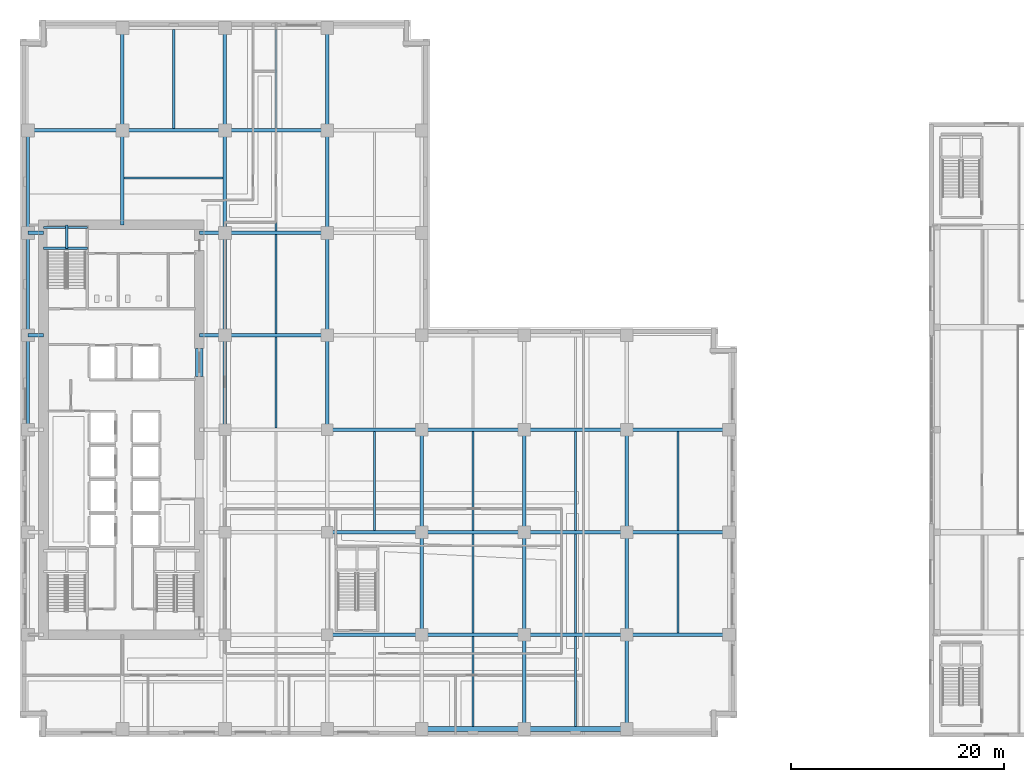
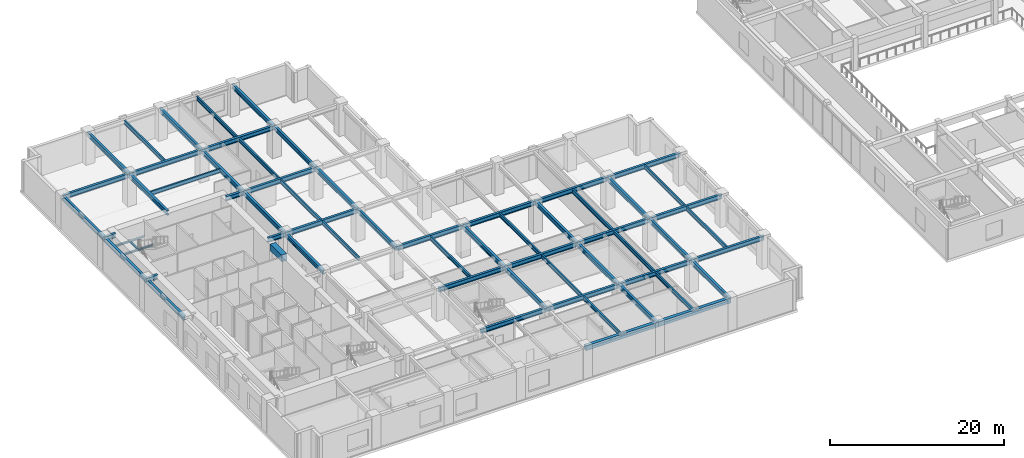
# One storey, part 2 of 24: 63 beams.
"""IFC4 building model written with IfcOpenShell, lengths in metres."""

from ifc_helpers import new_model, si_unit, direction, frame, origin, origin_2d, place, context, subcontext, project, spatial, rectangle, i_section, extrude, material, material_profile, profile_set, type_object, element, save


model = new_model("IFC4")

# Units and contexts
model_context = context("Model", 3, precision=1e-05, world=origin(), true_north=direction((0.0, 1.0)))
body_context = subcontext(model_context, "Body", "Model", "MODEL_VIEW")
ifc_project = project(units=[si_unit("LENGTHUNIT", "METRE"), si_unit("AREAUNIT", "SQUARE_METRE"), si_unit("VOLUMEUNIT", "CUBIC_METRE"), si_unit("PLANEANGLEUNIT", "RADIAN"), si_unit("MASSUNIT", "GRAM", prefix="KILO")], contexts=[model_context])

# Site, building, storey
site_placement = place(None, origin())
site = spatial("IfcSite", under=ifc_project, at=site_placement, CompositionType="ELEMENT")
building_placement = place(site_placement, origin())
building = spatial("IfcBuilding", under=site, at=building_placement, Name="Norrvale University Quadrangle", CompositionType="ELEMENT")
storey_placement = place(building_placement, frame((0.0, 0.0, 10.39990234375)))
storey = spatial("IfcBuildingStorey", under=building, at=storey_placement, Name="L02", CompositionType="ELEMENT", Elevation=10.39990234375)

# Beams
ifc_material_1 = material(Name="Steel 350W", Category="steel")
ifc_material_profile_1 = material_profile(ifc_material_1, i_section(OverallWidth=0.324951171875, OverallDepth=0.615966796875, WebThickness=0.013916015625, FlangeThickness=0.021484375, FilletRadius=0.01611328125, at=origin_2d()), Name="Steel 350W")
ifc_profile_set_1 = profile_set([ifc_material_profile_1], Name="Steel 350W")
beam_type_1 = type_object("IfcBeamType", Name="Beam Belt W610x174", PredefinedType="BEAM", material=ifc_profile_set_1)
beam_1_placement = place(storey_placement, frame((28.800048828125, 9.60009765625, 3.9521484375), z_axis=(1.0, 0.0, 0.0), x_axis=(0.0, 1.0, 0.0)))
element("IfcBeam", 1, at=beam_1_placement, inside=storey, type_object=beam_type_1, Name="Beam Belt W610x174 BM-L02-GX007", PredefinedType="BEAM", context=body_context, shape_type="SweptSolid", body=[
    extrude(i_section(OverallWidth=0.324951171875, OverallDepth=0.615966796875, WebThickness=0.013916015625, FlangeThickness=0.021484375, FilletRadius=0.01611328125, at=origin_2d()), origin(), (0.0, 0.0, 1.0), 8.849853515625),
])
for number, where, z_axis, x_axis, name in (
    (2, (37.64990234375, 9.60009765625, 3.9521484375), (1.0, 0.0, 0.0), (0.0, 1.0, 0.0), "Beam Belt W610x174 BM-L02-GX008"),
    (3, (47.25, 9.60009765625, 3.9521484375), (1.0, 0.0, 0.0), (0.0, 1.0, 0.0), "Beam Belt W610x174 BM-L02-GX009"),
):
    element("IfcBeam", number, at=place(storey_placement, frame(where, z_axis=z_axis, x_axis=x_axis)), inside=storey, type_object=beam_type_1, Name=name, PredefinedType="BEAM", context=body_context, shape_type="SweptSolid", body=[
        extrude(i_section(OverallWidth=0.324951171875, OverallDepth=0.615966796875, WebThickness=0.013916015625, FlangeThickness=0.021484375, FilletRadius=0.01611328125, at=origin_2d()), origin(), (0.0, 0.0, 1.0), 9.60009765625),
    ])
beam_2_placement = place(storey_placement, frame((56.85009765625, 9.60009765625, 3.9521484375), z_axis=(1.0, 0.0, 0.0), x_axis=(0.0, 1.0, 0.0)))
element("IfcBeam", 4, at=beam_2_placement, inside=storey, type_object=beam_type_1, Name="Beam Belt W610x174 BM-L02-GX010", PredefinedType="BEAM", context=body_context, shape_type="SweptSolid", body=[
    extrude(i_section(OverallWidth=0.324951171875, OverallDepth=0.615966796875, WebThickness=0.013916015625, FlangeThickness=0.021484375, FilletRadius=0.01611328125, at=origin_2d()), origin(), (0.0, 0.0, 1.0), 9.599853515625),
])
beam_3_placement = place(storey_placement, frame((28.800048828125, 19.199951171875, 3.9521484375), z_axis=(1.0, 0.0, 0.0), x_axis=(0.0, 1.0, 0.0)))
element("IfcBeam", 5, at=beam_3_placement, inside=storey, type_object=beam_type_1, Name="Beam Belt W610x174 BM-L02-GX012", PredefinedType="BEAM", context=body_context, shape_type="SweptSolid", body=[
    extrude(i_section(OverallWidth=0.324951171875, OverallDepth=0.615966796875, WebThickness=0.013916015625, FlangeThickness=0.021484375, FilletRadius=0.01611328125, at=origin_2d()), origin(), (0.0, 0.0, 1.0), 8.849853515625),
])
for number, where, z_axis, x_axis, name in (
    (6, (37.64990234375, 19.199951171875, 3.9521484375), (1.0, 0.0, 0.0), (0.0, 1.0, 0.0), "Beam Belt W610x174 BM-L02-GX013"),
    (7, (47.25, 19.199951171875, 3.9521484375), (1.0, 0.0, 0.0), (0.0, 1.0, 0.0), "Beam Belt W610x174 BM-L02-GX014"),
):
    element("IfcBeam", number, at=place(storey_placement, frame(where, z_axis=z_axis, x_axis=x_axis)), inside=storey, type_object=beam_type_1, Name=name, PredefinedType="BEAM", context=body_context, shape_type="SweptSolid", body=[
        extrude(i_section(OverallWidth=0.324951171875, OverallDepth=0.615966796875, WebThickness=0.013916015625, FlangeThickness=0.021484375, FilletRadius=0.01611328125, at=origin_2d()), origin(), (0.0, 0.0, 1.0), 9.60009765625),
    ])
beam_4_placement = place(storey_placement, frame((56.85009765625, 19.199951171875, 3.9521484375), z_axis=(1.0, 0.0, 0.0), x_axis=(0.0, 1.0, 0.0)))
element("IfcBeam", 8, at=beam_4_placement, inside=storey, type_object=beam_type_1, Name="Beam Belt W610x174 BM-L02-GX015", PredefinedType="BEAM", context=body_context, shape_type="SweptSolid", body=[
    extrude(i_section(OverallWidth=0.324951171875, OverallDepth=0.615966796875, WebThickness=0.013916015625, FlangeThickness=0.021484375, FilletRadius=0.01611328125, at=origin_2d()), origin(), (0.0, 0.0, 1.0), 9.599853515625),
])
beam_5_placement = place(storey_placement, frame((28.800048828125, 28.800048828125, 3.9521484375), z_axis=(1.0, 0.0, 0.0), x_axis=(0.0, 1.0, 0.0)))
element("IfcBeam", 9, at=beam_5_placement, inside=storey, type_object=beam_type_1, Name="Beam Belt W610x174 BM-L02-GX017", PredefinedType="BEAM", context=body_context, shape_type="SweptSolid", body=[
    extrude(i_section(OverallWidth=0.324951171875, OverallDepth=0.615966796875, WebThickness=0.013916015625, FlangeThickness=0.021484375, FilletRadius=0.01611328125, at=origin_2d()), origin(), (0.0, 0.0, 1.0), 8.849853515625),
])
for number, where, z_axis, x_axis, name in (
    (10, (37.64990234375, 28.800048828125, 3.9521484375), (1.0, 0.0, 0.0), (0.0, 1.0, 0.0), "Beam Belt W610x174 BM-L02-GX018"),
    (11, (47.25, 28.800048828125, 3.9521484375), (1.0, 0.0, 0.0), (0.0, 1.0, 0.0), "Beam Belt W610x174 BM-L02-GX019"),
):
    element("IfcBeam", number, at=place(storey_placement, frame(where, z_axis=z_axis, x_axis=x_axis)), inside=storey, type_object=beam_type_1, Name=name, PredefinedType="BEAM", context=body_context, shape_type="SweptSolid", body=[
        extrude(i_section(OverallWidth=0.324951171875, OverallDepth=0.615966796875, WebThickness=0.013916015625, FlangeThickness=0.021484375, FilletRadius=0.01611328125, at=origin_2d()), origin(), (0.0, 0.0, 1.0), 9.60009765625),
    ])
beam_6_placement = place(storey_placement, frame((56.85009765625, 28.800048828125, 3.9521484375), z_axis=(1.0, 0.0, 0.0), x_axis=(0.0, 1.0, 0.0)))
element("IfcBeam", 12, at=beam_6_placement, inside=storey, type_object=beam_type_1, Name="Beam Belt W610x174 BM-L02-GX020", PredefinedType="BEAM", context=body_context, shape_type="SweptSolid", body=[
    extrude(i_section(OverallWidth=0.324951171875, OverallDepth=0.615966796875, WebThickness=0.013916015625, FlangeThickness=0.021484375, FilletRadius=0.01611328125, at=origin_2d()), origin(), (0.0, 0.0, 1.0), 9.599853515625),
])
for number, where, z_axis, x_axis, name in (
    (13, (19.199951171875, 37.64990234375, 3.9521484375), (1.0, 0.0, 0.0), (0.0, 1.0, 0.0), "Beam Belt W610x174 BM-L02-GX021"),
    (14, (19.199951171875, 47.25, 3.9521484375), (1.0, 0.0, 0.0), (0.0, 1.0, 0.0), "Beam Belt W610x174 BM-L02-GX025"),
):
    element("IfcBeam", number, at=place(storey_placement, frame(where, z_axis=z_axis, x_axis=x_axis)), inside=storey, type_object=beam_type_1, Name=name, PredefinedType="BEAM", context=body_context, shape_type="SweptSolid", body=[
        extrude(i_section(OverallWidth=0.324951171875, OverallDepth=0.615966796875, WebThickness=0.013916015625, FlangeThickness=0.021484375, FilletRadius=0.01611328125, at=origin_2d()), origin(), (0.0, 0.0, 1.0), 9.60009765625),
    ])
beam_7_placement = place(storey_placement, frame((0.75, 56.85009765625, 3.9521484375), z_axis=(1.0, 0.0, 0.0), x_axis=(0.0, 1.0, 0.0)))
element("IfcBeam", 15, at=beam_7_placement, inside=storey, type_object=beam_type_1, Name="Beam Belt W610x174 BM-L02-GX027", PredefinedType="BEAM", context=body_context, shape_type="SweptSolid", body=[
    extrude(i_section(OverallWidth=0.324951171875, OverallDepth=0.615966796875, WebThickness=0.013916015625, FlangeThickness=0.021484375, FilletRadius=0.01611328125, at=origin_2d()), origin(), (0.0, 0.0, 1.0), 8.85009765625),
])
beam_8_placement = place(storey_placement, frame((9.60009765625, 56.85009765625, 3.9521484375), z_axis=(1.0, 0.0, 0.0), x_axis=(0.0, 1.0, 0.0)))
element("IfcBeam", 16, at=beam_8_placement, inside=storey, type_object=beam_type_1, Name="Beam Belt W610x174 BM-L02-GX028", PredefinedType="BEAM", context=body_context, shape_type="SweptSolid", body=[
    extrude(i_section(OverallWidth=0.324951171875, OverallDepth=0.615966796875, WebThickness=0.013916015625, FlangeThickness=0.021484375, FilletRadius=0.01611328125, at=origin_2d()), origin(), (0.0, 0.0, 1.0), 9.599853515625),
])
beam_9_placement = place(storey_placement, frame((19.199951171875, 56.85009765625, 3.9521484375), z_axis=(1.0, 0.0, 0.0), x_axis=(0.0, 1.0, 0.0)))
element("IfcBeam", 17, at=beam_9_placement, inside=storey, type_object=beam_type_1, Name="Beam Belt W610x174 BM-L02-GX029", PredefinedType="BEAM", context=body_context, shape_type="SweptSolid", body=[
    extrude(i_section(OverallWidth=0.324951171875, OverallDepth=0.615966796875, WebThickness=0.013916015625, FlangeThickness=0.021484375, FilletRadius=0.01611328125, at=origin_2d()), origin(), (0.0, 0.0, 1.0), 9.60009765625),
])
beam_10_placement = place(storey_placement, frame((0.75, 28.800048828125, 3.9521484375), z_axis=(0.0, 1.0, 0.0), x_axis=(-1.0, 0.0, 0.0)))
element("IfcBeam", 18, at=beam_10_placement, inside=storey, type_object=beam_type_1, Name="Beam Belt W610x174 BM-L02-GY035", PredefinedType="BEAM", context=body_context, shape_type="SweptSolid", body=[
    extrude(i_section(OverallWidth=0.324951171875, OverallDepth=0.615966796875, WebThickness=0.013916015625, FlangeThickness=0.021484375, FilletRadius=0.01611328125, at=origin_2d()), origin(), (0.0, 0.0, 1.0), 8.849853515625),
])
for number, where, z_axis, x_axis, name in (
    (19, (0.75, 37.64990234375, 3.9521484375), (0.0, 1.0, 0.0), (-1.0, 0.0, 0.0), "Beam Belt W610x174 BM-L02-GY036"),
    (20, (0.75, 47.25, 3.9521484375), (0.0, 1.0, 0.0), (-1.0, 0.0, 0.0), "Beam Belt W610x174 BM-L02-GY037"),
):
    element("IfcBeam", number, at=place(storey_placement, frame(where, z_axis=z_axis, x_axis=x_axis)), inside=storey, type_object=beam_type_1, Name=name, PredefinedType="BEAM", context=body_context, shape_type="SweptSolid", body=[
        extrude(i_section(OverallWidth=0.324951171875, OverallDepth=0.615966796875, WebThickness=0.013916015625, FlangeThickness=0.021484375, FilletRadius=0.01611328125, at=origin_2d()), origin(), (0.0, 0.0, 1.0), 9.60009765625),
    ])
beam_11_placement = place(storey_placement, frame((9.60009765625, 56.85009765625, 3.9521484375), z_axis=(0.0, 1.0, 0.0), x_axis=(-1.0, 0.0, 0.0)))
element("IfcBeam", 21, at=beam_11_placement, inside=storey, type_object=beam_type_1, Name="Beam Belt W610x174 BM-L02-GY038", PredefinedType="BEAM", context=body_context, shape_type="SweptSolid", body=[
    extrude(i_section(OverallWidth=0.324951171875, OverallDepth=0.615966796875, WebThickness=0.013916015625, FlangeThickness=0.021484375, FilletRadius=0.01611328125, at=origin_2d()), origin(), (0.0, 0.0, 1.0), 9.599853515625),
])
beam_12_placement = place(storey_placement, frame((19.199951171875, 28.800048828125, 3.9521484375), z_axis=(0.0, 1.0, 0.0), x_axis=(-1.0, 0.0, 0.0)))
element("IfcBeam", 22, at=beam_12_placement, inside=storey, type_object=beam_type_1, Name="Beam Belt W610x174 BM-L02-GY042", PredefinedType="BEAM", context=body_context, shape_type="SweptSolid", body=[
    extrude(i_section(OverallWidth=0.324951171875, OverallDepth=0.615966796875, WebThickness=0.013916015625, FlangeThickness=0.021484375, FilletRadius=0.01611328125, at=origin_2d()), origin(), (0.0, 0.0, 1.0), 8.849853515625),
])
for number, where, z_axis, x_axis, name in (
    (23, (19.199951171875, 37.64990234375, 3.9521484375), (0.0, 1.0, 0.0), (-1.0, 0.0, 0.0), "Beam Belt W610x174 BM-L02-GY043"),
    (24, (19.199951171875, 47.25, 3.9521484375), (0.0, 1.0, 0.0), (-1.0, 0.0, 0.0), "Beam Belt W610x174 BM-L02-GY044"),
):
    element("IfcBeam", number, at=place(storey_placement, frame(where, z_axis=z_axis, x_axis=x_axis)), inside=storey, type_object=beam_type_1, Name=name, PredefinedType="BEAM", context=body_context, shape_type="SweptSolid", body=[
        extrude(i_section(OverallWidth=0.324951171875, OverallDepth=0.615966796875, WebThickness=0.013916015625, FlangeThickness=0.021484375, FilletRadius=0.01611328125, at=origin_2d()), origin(), (0.0, 0.0, 1.0), 9.60009765625),
    ])
beam_13_placement = place(storey_placement, frame((19.199951171875, 56.85009765625, 3.9521484375), z_axis=(0.0, 1.0, 0.0), x_axis=(-1.0, 0.0, 0.0)))
element("IfcBeam", 25, at=beam_13_placement, inside=storey, type_object=beam_type_1, Name="Beam Belt W610x174 BM-L02-GY045", PredefinedType="BEAM", context=body_context, shape_type="SweptSolid", body=[
    extrude(i_section(OverallWidth=0.324951171875, OverallDepth=0.615966796875, WebThickness=0.013916015625, FlangeThickness=0.021484375, FilletRadius=0.01611328125, at=origin_2d()), origin(), (0.0, 0.0, 1.0), 9.599853515625),
])
beam_14_placement = place(storey_placement, frame((28.800048828125, 28.800048828125, 3.9521484375), z_axis=(0.0, 1.0, 0.0), x_axis=(-1.0, 0.0, 0.0)))
element("IfcBeam", 26, at=beam_14_placement, inside=storey, type_object=beam_type_1, Name="Beam Belt W610x174 BM-L02-GY049", PredefinedType="BEAM", context=body_context, shape_type="SweptSolid", body=[
    extrude(i_section(OverallWidth=0.324951171875, OverallDepth=0.615966796875, WebThickness=0.013916015625, FlangeThickness=0.021484375, FilletRadius=0.01611328125, at=origin_2d()), origin(), (0.0, 0.0, 1.0), 8.849853515625),
])
for number, where, z_axis, x_axis, name in (
    (27, (28.800048828125, 37.64990234375, 3.9521484375), (0.0, 1.0, 0.0), (-1.0, 0.0, 0.0), "Beam Belt W610x174 BM-L02-GY050"),
    (28, (28.800048828125, 47.25, 3.9521484375), (0.0, 1.0, 0.0), (-1.0, 0.0, 0.0), "Beam Belt W610x174 BM-L02-GY051"),
):
    element("IfcBeam", number, at=place(storey_placement, frame(where, z_axis=z_axis, x_axis=x_axis)), inside=storey, type_object=beam_type_1, Name=name, PredefinedType="BEAM", context=body_context, shape_type="SweptSolid", body=[
        extrude(i_section(OverallWidth=0.324951171875, OverallDepth=0.615966796875, WebThickness=0.013916015625, FlangeThickness=0.021484375, FilletRadius=0.01611328125, at=origin_2d()), origin(), (0.0, 0.0, 1.0), 9.60009765625),
    ])
for number, where, z_axis, x_axis, name in (
    (29, (28.800048828125, 56.85009765625, 3.9521484375), (0.0, 1.0, 0.0), (-1.0, 0.0, 0.0), "Beam Belt W610x174 BM-L02-GY052"),
    (30, (37.64990234375, 9.60009765625, 3.9521484375), (0.0, 1.0, 0.0), (-1.0, 0.0, 0.0), "Beam Belt W610x174 BM-L02-GY054"),
):
    element("IfcBeam", number, at=place(storey_placement, frame(where, z_axis=z_axis, x_axis=x_axis)), inside=storey, type_object=beam_type_1, Name=name, PredefinedType="BEAM", context=body_context, shape_type="SweptSolid", body=[
        extrude(i_section(OverallWidth=0.324951171875, OverallDepth=0.615966796875, WebThickness=0.013916015625, FlangeThickness=0.021484375, FilletRadius=0.01611328125, at=origin_2d()), origin(), (0.0, 0.0, 1.0), 9.599853515625),
    ])
beam_15_placement = place(storey_placement, frame((37.64990234375, 19.199951171875, 3.9521484375), z_axis=(0.0, 1.0, 0.0), x_axis=(-1.0, 0.0, 0.0)))
element("IfcBeam", 31, at=beam_15_placement, inside=storey, type_object=beam_type_1, Name="Beam Belt W610x174 BM-L02-GY055", PredefinedType="BEAM", context=body_context, shape_type="SweptSolid", body=[
    extrude(i_section(OverallWidth=0.324951171875, OverallDepth=0.615966796875, WebThickness=0.013916015625, FlangeThickness=0.021484375, FilletRadius=0.01611328125, at=origin_2d()), origin(), (0.0, 0.0, 1.0), 9.60009765625),
])
beam_16_placement = place(storey_placement, frame((47.25, 0.75, 3.9521484375), z_axis=(0.0, 1.0, 0.0), x_axis=(-1.0, 0.0, 0.0)))
element("IfcBeam", 32, at=beam_16_placement, inside=storey, type_object=beam_type_1, Name="Beam Belt W610x174 BM-L02-GY059", PredefinedType="BEAM", context=body_context, shape_type="SweptSolid", body=[
    extrude(i_section(OverallWidth=0.324951171875, OverallDepth=0.615966796875, WebThickness=0.013916015625, FlangeThickness=0.021484375, FilletRadius=0.01611328125, at=origin_2d()), origin(), (0.0, 0.0, 1.0), 8.85009765625),
])
beam_17_placement = place(storey_placement, frame((47.25, 9.60009765625, 3.9521484375), z_axis=(0.0, 1.0, 0.0), x_axis=(-1.0, 0.0, 0.0)))
element("IfcBeam", 33, at=beam_17_placement, inside=storey, type_object=beam_type_1, Name="Beam Belt W610x174 BM-L02-GY060", PredefinedType="BEAM", context=body_context, shape_type="SweptSolid", body=[
    extrude(i_section(OverallWidth=0.324951171875, OverallDepth=0.615966796875, WebThickness=0.013916015625, FlangeThickness=0.021484375, FilletRadius=0.01611328125, at=origin_2d()), origin(), (0.0, 0.0, 1.0), 9.599853515625),
])
beam_18_placement = place(storey_placement, frame((47.25, 19.199951171875, 3.9521484375), z_axis=(0.0, 1.0, 0.0), x_axis=(-1.0, 0.0, 0.0)))
element("IfcBeam", 34, at=beam_18_placement, inside=storey, type_object=beam_type_1, Name="Beam Belt W610x174 BM-L02-GY061", PredefinedType="BEAM", context=body_context, shape_type="SweptSolid", body=[
    extrude(i_section(OverallWidth=0.324951171875, OverallDepth=0.615966796875, WebThickness=0.013916015625, FlangeThickness=0.021484375, FilletRadius=0.01611328125, at=origin_2d()), origin(), (0.0, 0.0, 1.0), 9.60009765625),
])
beam_19_placement = place(storey_placement, frame((56.85009765625, 0.75, 3.9521484375), z_axis=(0.0, 1.0, 0.0), x_axis=(-1.0, 0.0, 0.0)))
element("IfcBeam", 35, at=beam_19_placement, inside=storey, type_object=beam_type_1, Name="Beam Belt W610x174 BM-L02-GY063", PredefinedType="BEAM", context=body_context, shape_type="SweptSolid", body=[
    extrude(i_section(OverallWidth=0.324951171875, OverallDepth=0.615966796875, WebThickness=0.013916015625, FlangeThickness=0.021484375, FilletRadius=0.01611328125, at=origin_2d()), origin(), (0.0, 0.0, 1.0), 8.85009765625),
])
beam_20_placement = place(storey_placement, frame((56.85009765625, 9.60009765625, 3.9521484375), z_axis=(0.0, 1.0, 0.0), x_axis=(-1.0, 0.0, 0.0)))
element("IfcBeam", 36, at=beam_20_placement, inside=storey, type_object=beam_type_1, Name="Beam Belt W610x174 BM-L02-GY064", PredefinedType="BEAM", context=body_context, shape_type="SweptSolid", body=[
    extrude(i_section(OverallWidth=0.324951171875, OverallDepth=0.615966796875, WebThickness=0.013916015625, FlangeThickness=0.021484375, FilletRadius=0.01611328125, at=origin_2d()), origin(), (0.0, 0.0, 1.0), 9.599853515625),
])
beam_21_placement = place(storey_placement, frame((56.85009765625, 19.199951171875, 3.9521484375), z_axis=(0.0, 1.0, 0.0), x_axis=(-1.0, 0.0, 0.0)))
element("IfcBeam", 37, at=beam_21_placement, inside=storey, type_object=beam_type_1, Name="Beam Belt W610x174 BM-L02-GY065", PredefinedType="BEAM", context=body_context, shape_type="SweptSolid", body=[
    extrude(i_section(OverallWidth=0.324951171875, OverallDepth=0.615966796875, WebThickness=0.013916015625, FlangeThickness=0.021484375, FilletRadius=0.01611328125, at=origin_2d()), origin(), (0.0, 0.0, 1.0), 9.60009765625),
])
beam_22_placement = place(storey_placement, frame((0.75, 37.64990234375, 3.9521484375), z_axis=(1.0, 0.0, 0.0), x_axis=(0.0, 1.0, 0.0)))
element("IfcBeam", 38, at=beam_22_placement, inside=storey, type_object=beam_type_1, Name="Beam Belt W610x174 BM-L02-GCW075", PredefinedType="BEAM", context=body_context, shape_type="SweptSolid", body=[
    extrude(i_section(OverallWidth=0.324951171875, OverallDepth=0.615966796875, WebThickness=0.013916015625, FlangeThickness=0.021484375, FilletRadius=0.01611328125, at=origin_2d()), origin(), (0.0, 0.0, 1.0), 1.449951171875),
])
beam_23_placement = place(storey_placement, frame((16.800048828125, 37.64990234375, 3.9521484375), z_axis=(1.0, 0.0, 0.0), x_axis=(0.0, 1.0, 0.0)))
element("IfcBeam", 39, at=beam_23_placement, inside=storey, type_object=beam_type_1, Name="Beam Belt W610x174 BM-L02-GCE076", PredefinedType="BEAM", context=body_context, shape_type="SweptSolid", body=[
    extrude(i_section(OverallWidth=0.324951171875, OverallDepth=0.615966796875, WebThickness=0.013916015625, FlangeThickness=0.021484375, FilletRadius=0.01611328125, at=origin_2d()), origin(), (0.0, 0.0, 1.0), 2.39990234375),
])
beam_24_placement = place(storey_placement, frame((0.75, 47.25, 3.9521484375), z_axis=(1.0, 0.0, 0.0), x_axis=(0.0, 1.0, 0.0)))
element("IfcBeam", 40, at=beam_24_placement, inside=storey, type_object=beam_type_1, Name="Beam Belt W610x174 BM-L02-GCW077", PredefinedType="BEAM", context=body_context, shape_type="SweptSolid", body=[
    extrude(i_section(OverallWidth=0.324951171875, OverallDepth=0.615966796875, WebThickness=0.013916015625, FlangeThickness=0.021484375, FilletRadius=0.01611328125, at=origin_2d()), origin(), (0.0, 0.0, 1.0), 1.449951171875),
])
beam_25_placement = place(storey_placement, frame((16.800048828125, 47.25, 3.9521484375), z_axis=(1.0, 0.0, 0.0), x_axis=(0.0, 1.0, 0.0)))
element("IfcBeam", 41, at=beam_25_placement, inside=storey, type_object=beam_type_1, Name="Beam Belt W610x174 BM-L02-GCE078", PredefinedType="BEAM", context=body_context, shape_type="SweptSolid", body=[
    extrude(i_section(OverallWidth=0.324951171875, OverallDepth=0.615966796875, WebThickness=0.013916015625, FlangeThickness=0.021484375, FilletRadius=0.01611328125, at=origin_2d()), origin(), (0.0, 0.0, 1.0), 2.39990234375),
])
beam_26_placement = place(storey_placement, frame((9.60009765625, 48.0, 3.9521484375), z_axis=(0.0, 1.0, 0.0), x_axis=(-1.0, 0.0, 0.0)))
element("IfcBeam", 42, at=beam_26_placement, inside=storey, type_object=beam_type_1, Name="Beam Belt W610x174 BM-L02-GCN104", PredefinedType="BEAM", context=body_context, shape_type="SweptSolid", body=[
    extrude(i_section(OverallWidth=0.324951171875, OverallDepth=0.615966796875, WebThickness=0.013916015625, FlangeThickness=0.021484375, FilletRadius=0.01611328125, at=origin_2d()), origin(), (0.0, 0.0, 1.0), 8.85009765625),
])
ifc_material_2 = material(Name="Concrete C80/95", Category="concrete")
ifc_material_profile_2 = material_profile(ifc_material_2, rectangle(XDim=0.699951171875, YDim=0.949951171875, at=origin_2d()), Name="Concrete C80/95")
ifc_profile_set_2 = profile_set([ifc_material_profile_2], Name="Concrete C80/95")
beam_type_2 = type_object("IfcBeamType", Name="Beam Core Link 700x950", PredefinedType="LINTEL", material=ifc_profile_set_2)
beam_27_placement = place(storey_placement, frame((16.800048828125, 33.800048828125, 3.78515625), z_axis=(0.0, 1.0, 0.0), x_axis=(-1.0, 0.0, 0.0)))
element("IfcBeam", 43, at=beam_27_placement, inside=storey, type_object=beam_type_2, Name="Core Coupling Lintel Beam L02-2", PredefinedType="LINTEL", context=body_context, shape_type="SweptSolid", body=[
    extrude(rectangle(XDim=0.699951171875, YDim=0.949951171875, at=origin_2d()), origin(), (0.0, 0.0, 1.0), 2.599853515625),
])
ifc_material_3 = material(Name="Concrete C60/75", Category="concrete")
ifc_material_profile_3 = material_profile(ifc_material_3, rectangle(XDim=0.449951171875, YDim=0.64990234375, at=origin_2d()), Name="Concrete C60/75")
ifc_profile_set_3 = profile_set([ifc_material_profile_3], Name="Concrete C60/75")
beam_type_3 = type_object("IfcBeamType", Name="Beam Edge 450x650", PredefinedType="BEAM", material=ifc_profile_set_3)
for number, where, z_axis, x_axis, name in (
    (44, (37.64990234375, 0.75, 3.93505859375), (1.0, 0.0, 0.0), (0.0, 1.0, 0.0), "Beam Edge 450x650 BM-L02-GX004"),
    (45, (47.25, 0.75, 3.93505859375), (1.0, 0.0, 0.0), (0.0, 1.0, 0.0), "Beam Edge 450x650 BM-L02-GX005"),
):
    element("IfcBeam", number, at=place(storey_placement, frame(where, z_axis=z_axis, x_axis=x_axis)), inside=storey, type_object=beam_type_3, Name=name, PredefinedType="BEAM", context=body_context, shape_type="SweptSolid", body=[
        extrude(rectangle(XDim=0.449951171875, YDim=0.64990234375, at=origin_2d()), origin(), (0.0, 0.0, 1.0), 9.60009765625),
    ])
ifc_material_profile_4 = material_profile(ifc_material_1, i_section(OverallWidth=0.2119140625, OverallDepth=0.5439453125, WebThickness=0.01318359375, FlangeThickness=0.021240234375, FilletRadius=0.013916015625, at=origin_2d()), Name="Steel 350W")
ifc_profile_set_4 = profile_set([ifc_material_profile_4], Name="Steel 350W")
beam_type_4 = type_object("IfcBeamType", Name="Beam Floor W530x123", PredefinedType="BEAM", material=ifc_profile_set_4)
beam_28_placement = place(storey_placement, frame((14.39990234375, 57.012451171875, 3.988037109375), z_axis=(0.0, 1.0, 0.0), x_axis=(-1.0, 0.0, 0.0)))
element("IfcBeam", 46, at=beam_28_placement, inside=storey, type_object=beam_type_4, Name="Beam Floor W530x123 BM-L02-J079", PredefinedType="BEAM", context=body_context, shape_type="SweptSolid", body=[
    extrude(i_section(OverallWidth=0.2119140625, OverallDepth=0.5439453125, WebThickness=0.01318359375, FlangeThickness=0.021240234375, FilletRadius=0.013916015625, at=origin_2d()), origin(), (0.0, 0.0, 1.0), 9.275146484375),
])
beam_29_placement = place(storey_placement, frame((24.0, 28.96240234375, 3.988037109375), z_axis=(0.0, 1.0, 0.0), x_axis=(-1.0, 0.0, 0.0)))
element("IfcBeam", 47, at=beam_29_placement, inside=storey, type_object=beam_type_4, Name="Beam Floor W530x123 BM-L02-J083", PredefinedType="BEAM", context=body_context, shape_type="SweptSolid", body=[
    extrude(i_section(OverallWidth=0.2119140625, OverallDepth=0.5439453125, WebThickness=0.01318359375, FlangeThickness=0.021240234375, FilletRadius=0.013916015625, at=origin_2d()), origin(), (0.0, 0.0, 1.0), 8.525146484375),
])
for number, where, z_axis, x_axis, name in (
    (48, (24.0, 37.8125, 3.988037109375), (0.0, 1.0, 0.0), (-1.0, 0.0, 0.0), "Beam Floor W530x123 BM-L02-J084"),
    (49, (24.0, 47.41259765625, 3.988037109375), (0.0, 1.0, 0.0), (-1.0, 0.0, 0.0), "Beam Floor W530x123 BM-L02-J085"),
):
    element("IfcBeam", number, at=place(storey_placement, frame(where, z_axis=z_axis, x_axis=x_axis)), inside=storey, type_object=beam_type_4, Name=name, PredefinedType="BEAM", context=body_context, shape_type="SweptSolid", body=[
        extrude(i_section(OverallWidth=0.2119140625, OverallDepth=0.5439453125, WebThickness=0.01318359375, FlangeThickness=0.021240234375, FilletRadius=0.013916015625, at=origin_2d()), origin(), (0.0, 0.0, 1.0), 9.27490234375),
    ])
beam_30_placement = place(storey_placement, frame((24.0, 57.012451171875, 3.988037109375), z_axis=(0.0, 1.0, 0.0), x_axis=(-1.0, 0.0, 0.0)))
element("IfcBeam", 50, at=beam_30_placement, inside=storey, type_object=beam_type_4, Name="Beam Floor W530x123 BM-L02-J086", PredefinedType="BEAM", context=body_context, shape_type="SweptSolid", body=[
    extrude(i_section(OverallWidth=0.2119140625, OverallDepth=0.5439453125, WebThickness=0.01318359375, FlangeThickness=0.021240234375, FilletRadius=0.013916015625, at=origin_2d()), origin(), (0.0, 0.0, 1.0), 9.275146484375),
])
beam_31_placement = place(storey_placement, frame((33.22509765625, 19.362548828125, 3.988037109375), z_axis=(0.0, 1.0, 0.0), x_axis=(-1.0, 0.0, 0.0)))
element("IfcBeam", 51, at=beam_31_placement, inside=storey, type_object=beam_type_4, Name="Beam Floor W530x123 BM-L02-J088", PredefinedType="BEAM", context=body_context, shape_type="SweptSolid", body=[
    extrude(i_section(OverallWidth=0.2119140625, OverallDepth=0.5439453125, WebThickness=0.01318359375, FlangeThickness=0.021240234375, FilletRadius=0.013916015625, at=origin_2d()), origin(), (0.0, 0.0, 1.0), 9.27490234375),
])
beam_32_placement = place(storey_placement, frame((42.449951171875, 0.97509765625, 3.988037109375), z_axis=(0.0, 1.0, 0.0), x_axis=(-1.0, 0.0, 0.0)))
element("IfcBeam", 52, at=beam_32_placement, inside=storey, type_object=beam_type_4, Name="Beam Floor W530x123 BM-L02-J092", PredefinedType="BEAM", context=body_context, shape_type="SweptSolid", body=[
    extrude(i_section(OverallWidth=0.2119140625, OverallDepth=0.5439453125, WebThickness=0.01318359375, FlangeThickness=0.021240234375, FilletRadius=0.013916015625, at=origin_2d()), origin(), (0.0, 0.0, 1.0), 8.46240234375),
])
beam_33_placement = place(storey_placement, frame((42.449951171875, 9.762451171875, 3.988037109375), z_axis=(0.0, 1.0, 0.0), x_axis=(-1.0, 0.0, 0.0)))
element("IfcBeam", 53, at=beam_33_placement, inside=storey, type_object=beam_type_4, Name="Beam Floor W530x123 BM-L02-J093", PredefinedType="BEAM", context=body_context, shape_type="SweptSolid", body=[
    extrude(i_section(OverallWidth=0.2119140625, OverallDepth=0.5439453125, WebThickness=0.01318359375, FlangeThickness=0.021240234375, FilletRadius=0.013916015625, at=origin_2d()), origin(), (0.0, 0.0, 1.0), 9.275146484375),
])
beam_34_placement = place(storey_placement, frame((42.449951171875, 19.362548828125, 3.988037109375), z_axis=(0.0, 1.0, 0.0), x_axis=(-1.0, 0.0, 0.0)))
element("IfcBeam", 54, at=beam_34_placement, inside=storey, type_object=beam_type_4, Name="Beam Floor W530x123 BM-L02-J094", PredefinedType="BEAM", context=body_context, shape_type="SweptSolid", body=[
    extrude(i_section(OverallWidth=0.2119140625, OverallDepth=0.5439453125, WebThickness=0.01318359375, FlangeThickness=0.021240234375, FilletRadius=0.013916015625, at=origin_2d()), origin(), (0.0, 0.0, 1.0), 9.27490234375),
])
beam_35_placement = place(storey_placement, frame((52.050048828125, 0.97509765625, 3.988037109375), z_axis=(0.0, 1.0, 0.0), x_axis=(-1.0, 0.0, 0.0)))
element("IfcBeam", 55, at=beam_35_placement, inside=storey, type_object=beam_type_4, Name="Beam Floor W530x123 BM-L02-J096", PredefinedType="BEAM", context=body_context, shape_type="SweptSolid", body=[
    extrude(i_section(OverallWidth=0.2119140625, OverallDepth=0.5439453125, WebThickness=0.01318359375, FlangeThickness=0.021240234375, FilletRadius=0.013916015625, at=origin_2d()), origin(), (0.0, 0.0, 1.0), 8.46240234375),
])
beam_36_placement = place(storey_placement, frame((52.050048828125, 9.762451171875, 3.988037109375), z_axis=(0.0, 1.0, 0.0), x_axis=(-1.0, 0.0, 0.0)))
element("IfcBeam", 56, at=beam_36_placement, inside=storey, type_object=beam_type_4, Name="Beam Floor W530x123 BM-L02-J097", PredefinedType="BEAM", context=body_context, shape_type="SweptSolid", body=[
    extrude(i_section(OverallWidth=0.2119140625, OverallDepth=0.5439453125, WebThickness=0.01318359375, FlangeThickness=0.021240234375, FilletRadius=0.013916015625, at=origin_2d()), origin(), (0.0, 0.0, 1.0), 9.275146484375),
])
beam_37_placement = place(storey_placement, frame((52.050048828125, 19.362548828125, 3.988037109375), z_axis=(0.0, 1.0, 0.0), x_axis=(-1.0, 0.0, 0.0)))
element("IfcBeam", 57, at=beam_37_placement, inside=storey, type_object=beam_type_4, Name="Beam Floor W530x123 BM-L02-J098", PredefinedType="BEAM", context=body_context, shape_type="SweptSolid", body=[
    extrude(i_section(OverallWidth=0.2119140625, OverallDepth=0.5439453125, WebThickness=0.01318359375, FlangeThickness=0.021240234375, FilletRadius=0.013916015625, at=origin_2d()), origin(), (0.0, 0.0, 1.0), 9.27490234375),
])
beam_38_placement = place(storey_placement, frame((61.64990234375, 9.762451171875, 3.988037109375), z_axis=(0.0, 1.0, 0.0), x_axis=(-1.0, 0.0, 0.0)))
element("IfcBeam", 58, at=beam_38_placement, inside=storey, type_object=beam_type_4, Name="Beam Floor W530x123 BM-L02-J100", PredefinedType="BEAM", context=body_context, shape_type="SweptSolid", body=[
    extrude(i_section(OverallWidth=0.2119140625, OverallDepth=0.5439453125, WebThickness=0.01318359375, FlangeThickness=0.021240234375, FilletRadius=0.013916015625, at=origin_2d()), origin(), (0.0, 0.0, 1.0), 9.275146484375),
])
beam_39_placement = place(storey_placement, frame((61.64990234375, 19.362548828125, 3.988037109375), z_axis=(0.0, 1.0, 0.0), x_axis=(-1.0, 0.0, 0.0)))
element("IfcBeam", 59, at=beam_39_placement, inside=storey, type_object=beam_type_4, Name="Beam Floor W530x123 BM-L02-J101", PredefinedType="BEAM", context=body_context, shape_type="SweptSolid", body=[
    extrude(i_section(OverallWidth=0.2119140625, OverallDepth=0.5439453125, WebThickness=0.01318359375, FlangeThickness=0.021240234375, FilletRadius=0.013916015625, at=origin_2d()), origin(), (0.0, 0.0, 1.0), 9.27490234375),
])
beam_40_placement = place(storey_placement, frame((9.762451171875, 52.39990234375, 3.988037109375), z_axis=(1.0, 0.0, 0.0), x_axis=(0.0, 1.0, 0.0)))
element("IfcBeam", 60, at=beam_40_placement, inside=storey, type_object=beam_type_4, Name="Beam Floor W530x123 BM-L02-JCN105", PredefinedType="BEAM", context=body_context, shape_type="SweptSolid", body=[
    extrude(i_section(OverallWidth=0.2119140625, OverallDepth=0.5439453125, WebThickness=0.01318359375, FlangeThickness=0.021240234375, FilletRadius=0.013916015625, at=origin_2d()), origin(), (0.0, 0.0, 1.0), 9.275146484375),
])
ifc_material_profile_5 = material_profile(ifc_material_1, i_section(OverallWidth=0.201904296875, OverallDepth=0.2470703125, WebThickness=0.00732421875, FlangeThickness=0.010986328125, FilletRadius=0.011962890625, at=origin_2d()), Name="Steel 350W")
ifc_profile_set_5 = profile_set([ifc_material_profile_5], Name="Steel 350W")
beam_type_5 = type_object("IfcBeamType", Name="Beam Stair W250x49", PredefinedType="BEAM", material=ifc_profile_set_5)
for number, where, z_axis, x_axis, name in (
    (61, (2.199951171875, 45.81005859375, 1.9765625), (1.0, 0.0, 0.0), (0.0, 1.0, 0.0), "Stair Mid-Landing Front Beam ST-02 L02"),
    (62, (2.199951171875, 47.77001953125, 1.9765625), (1.0, 0.0, 0.0), (0.0, 1.0, 0.0), "Stair Mid-Landing Rear Beam ST-02 L02"),
):
    element("IfcBeam", number, at=place(storey_placement, frame(where, z_axis=z_axis, x_axis=x_axis)), inside=storey, type_object=beam_type_5, Name=name, PredefinedType="BEAM", context=body_context, shape_type="SweptSolid", body=[
        extrude(i_section(OverallWidth=0.201904296875, OverallDepth=0.2470703125, WebThickness=0.00732421875, FlangeThickness=0.010986328125, FilletRadius=0.011962890625, at=origin_2d()), origin(), (0.0, 0.0, 1.0), 4.14013671875),
    ])
ifc_material_profile_6 = material_profile(ifc_material_1, i_section(OverallWidth=0.202880859375, OverallDepth=0.202880859375, WebThickness=0.007080078125, FlangeThickness=0.010986328125, FilletRadius=0.010009765625, at=origin_2d()), Name="Steel 350W")
ifc_profile_set_6 = profile_set([ifc_material_profile_6], Name="Steel 350W")
beam_type_6 = type_object("IfcBeamType", Name="Beam Trim W200x46", PredefinedType="BEAM", material=ifc_profile_set_6)
beam_41_placement = place(storey_placement, frame((4.375, 45.81005859375, 1.99853515625), z_axis=(0.0, 1.0, 0.0), x_axis=(-1.0, 0.0, 0.0)))
element("IfcBeam", 63, at=beam_41_placement, inside=storey, type_object=beam_type_6, Name="Stair Mid-Landing Cross Beam ST-02 L02", PredefinedType="BEAM", context=body_context, shape_type="SweptSolid", body=[
    extrude(i_section(OverallWidth=0.202880859375, OverallDepth=0.202880859375, WebThickness=0.007080078125, FlangeThickness=0.010986328125, FilletRadius=0.010009765625, at=origin_2d()), origin(), (0.0, 0.0, 1.0), 2.18994140625),
])

save(model, "model.ifc")
